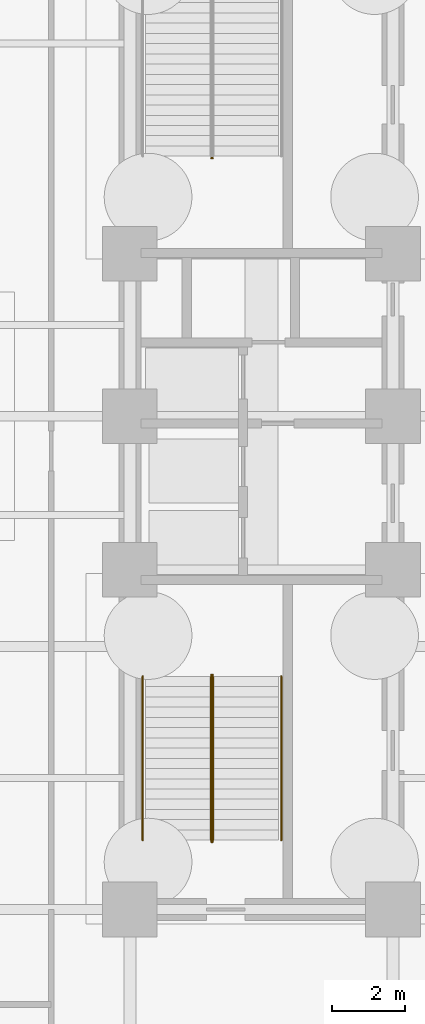
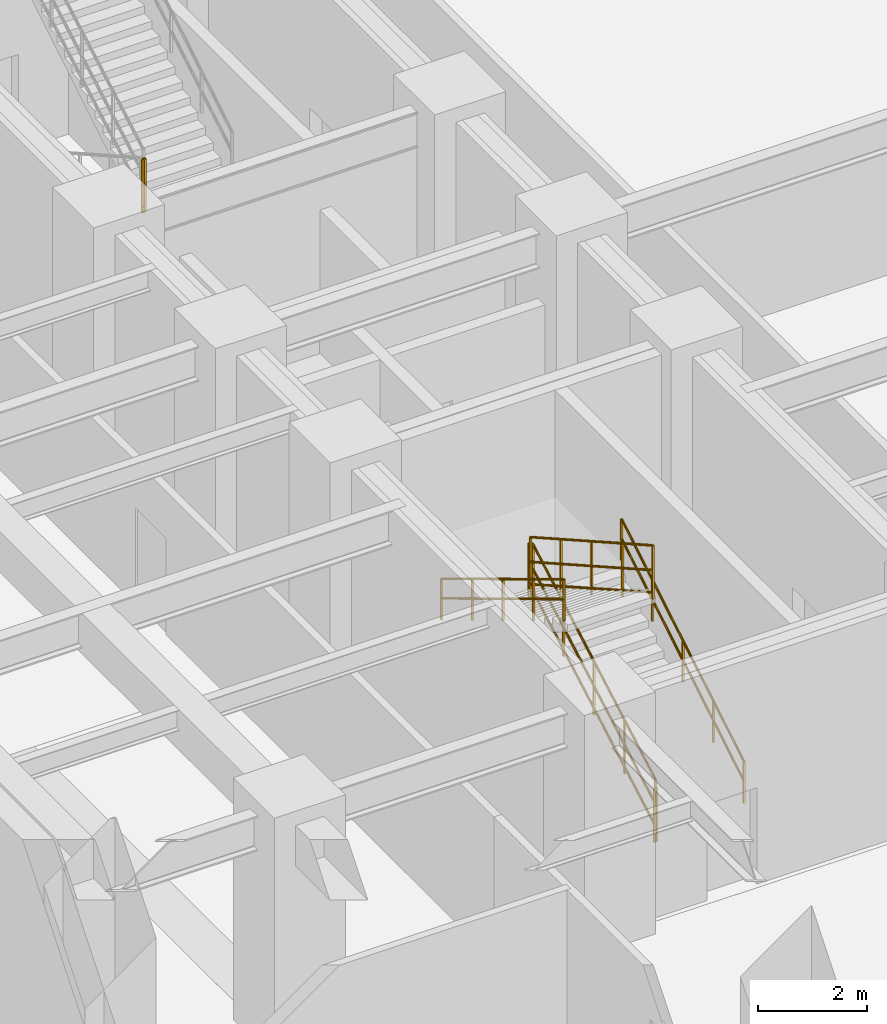
# One storey, part 8 of 11: 7 railings.
"""IFC4 building model written with IfcOpenShell, lengths in metres."""

from ifc_helpers import new_model, entity, si_unit, converted_unit, direction, frame, origin_with_axes, origin_2d_with_axis, place, context, subcontext, project, spatial, rectangle, circle, extrude, material, type_object, element, save


model = new_model("IFC4")

# Units and contexts
model_context = context("Model", 3, precision=1e-05, world=origin_with_axes(), true_north=direction((0.0, 1.0)))
body_context = subcontext(model_context, "Body", "Model", "MODEL_VIEW")
ifc_project = project(units=[si_unit("LENGTHUNIT", "METRE"), si_unit("AREAUNIT", "SQUARE_METRE"), si_unit("VOLUMEUNIT", "CUBIC_METRE"), converted_unit("PLANEANGLEUNIT", "DEGREE", entity("IfcPlaneAngleMeasure", 0.017453292519943295), si_unit("PLANEANGLEUNIT", "RADIAN"), dimensions=[0, 0, 0, 0, 0, 0, 0]), si_unit("MASSUNIT", "GRAM", prefix="KILO"), si_unit("THERMODYNAMICTEMPERATUREUNIT", "KELVIN")], contexts=[model_context])

# Site, building, storey
site_placement = place(None, origin_with_axes())
site = spatial("IfcSite", under=ifc_project, at=site_placement, CompositionType="ELEMENT")
building_placement = place(site_placement, origin_with_axes())
building = spatial("IfcBuilding", under=site, at=building_placement, Name="Varnlund Millrace Tower", CompositionType="ELEMENT")
storey_placement = place(building_placement, frame((0.0, 0.0, -10.2), z_axis=(0.0, 0.0, 1.0), x_axis=(1.0, 0.0, 0.0)))
storey = spatial("IfcBuildingStorey", under=building, at=storey_placement, Name="B2", CompositionType="ELEMENT", Elevation=-10.2)

# Railings
ifc_material_1 = material(Name="Painted steel stair well balustrade guard", Category="steel")
railing_type_1 = type_object("IfcRailingType", Name="Type-StairGuard-1150", PredefinedType="GUARDRAIL", material=ifc_material_1)
railing_1_placement = place(storey_placement, frame((0.0, 0.0, 10.2), z_axis=(0.0, 0.0, 1.0), x_axis=(1.0, 0.0, 0.0)))
element("IfcRailing", 1, at=railing_1_placement, inside=storey, type_object=railing_type_1, Name="Type-StairGuard-1150", PredefinedType="GUARDRAIL", context=body_context, shape_type="SweptSolid", body=[
    extrude(circle(Radius=0.024, at=origin_2d_with_axis()), frame((13.675, 12.7, -8.88125), z_axis=(0.0, 0.87064, 0.491921), x_axis=(-1.0, 0.0, 0.0)), (0.0, 0.0, 1.0), 5.145642),
    extrude(circle(Radius=0.024, at=origin_2d_with_axis()), frame((13.675, 12.7, -9.93125), z_axis=(0.0, 0.87064, 0.491921), x_axis=(-1.0, 0.0, 0.0)), (0.0, 0.0, 1.0), 5.145642),
    extrude(circle(Radius=0.024, at=origin_2d_with_axis()), frame((13.675, 12.7, -9.43325), z_axis=(0.0, 0.87064, 0.491921), x_axis=(-1.0, 0.0, 0.0)), (0.0, 0.0, 1.0), 5.145642),
    extrude(rectangle(XDim=0.04, YDim=0.04, at=origin_2d_with_axis()), frame((13.675, 12.7, -10.07125), z_axis=(0.0, 0.0, 1.0), x_axis=(1.0, 0.0, 0.0)), (0.0, 0.0, 1.0), 1.19),
    extrude(rectangle(XDim=0.04, YDim=0.04, at=origin_2d_with_axis()), frame((13.675, 13.82, -9.438438), z_axis=(0.0, 0.0, 1.0), x_axis=(1.0, 0.0, 0.0)), (0.0, 0.0, 1.0), 1.19),
    extrude(rectangle(XDim=0.04, YDim=0.04, at=origin_2d_with_axis()), frame((13.675, 14.94, -8.805625), z_axis=(0.0, 0.0, 1.0), x_axis=(1.0, 0.0, 0.0)), (0.0, 0.0, 1.0), 1.19),
    extrude(rectangle(XDim=0.04, YDim=0.04, at=origin_2d_with_axis()), frame((13.675, 16.06, -8.172812), z_axis=(0.0, 0.0, 1.0), x_axis=(1.0, 0.0, 0.0)), (0.0, 0.0, 1.0), 1.19),
    extrude(rectangle(XDim=0.04, YDim=0.04, at=origin_2d_with_axis()), frame((13.675, 17.18, -7.54), z_axis=(0.0, 0.0, 1.0), x_axis=(1.0, 0.0, 0.0)), (0.0, 0.0, 1.0), 1.19),
])
railing_2_placement = place(storey_placement, frame((0.0, 0.0, 10.2), z_axis=(0.0, 0.0, 1.0), x_axis=(1.0, 0.0, 0.0)))
element("IfcRailing", 2, at=railing_2_placement, inside=storey, type_object=railing_type_1, Name="Type-StairGuard-1150", PredefinedType="GUARDRAIL", context=body_context, shape_type="SweptSolid", body=[
    extrude(circle(Radius=0.024, at=origin_2d_with_axis()), frame((13.625, 17.23, -6.35), z_axis=(1.0, 0.0, 0.0), x_axis=(0.0, 1.0, 0.0)), (0.0, 0.0, 1.0), 0.05),
    extrude(circle(Radius=0.024, at=origin_2d_with_axis()), frame((13.625, 17.23, -7.4), z_axis=(1.0, 0.0, 0.0), x_axis=(0.0, 1.0, 0.0)), (0.0, 0.0, 1.0), 0.05),
    extrude(circle(Radius=0.024, at=origin_2d_with_axis()), frame((13.625, 17.23, -6.902), z_axis=(1.0, 0.0, 0.0), x_axis=(0.0, 1.0, 0.0)), (0.0, 0.0, 1.0), 0.05),
    extrude(rectangle(XDim=0.04, YDim=0.04, at=origin_2d_with_axis()), frame((13.625, 17.23, -7.54), z_axis=(0.0, 0.0, 1.0), x_axis=(1.0, 0.0, 0.0)), (0.0, 0.0, 1.0), 1.19),
    extrude(rectangle(XDim=0.04, YDim=0.04, at=origin_2d_with_axis()), frame((13.675, 17.23, -7.54), z_axis=(0.0, 0.0, 1.0), x_axis=(1.0, 0.0, 0.0)), (0.0, 0.0, 1.0), 1.19),
])
railing_3_placement = place(storey_placement, frame((0.0, 0.0, 10.2), z_axis=(0.0, 0.0, 1.0), x_axis=(1.0, 0.0, 0.0)))
element("IfcRailing", 3, at=railing_3_placement, inside=storey, type_object=railing_type_1, Name="Type-StairGuard-1150", PredefinedType="GUARDRAIL", context=body_context, shape_type="SweptSolid", body=[
    extrude(circle(Radius=0.024, at=origin_2d_with_axis()), frame((13.625, 17.18, -6.18125), z_axis=(0.0, -0.87064, 0.491921), x_axis=(1.0, 0.0, 0.0)), (0.0, 0.0, 1.0), 5.145642),
    extrude(circle(Radius=0.024, at=origin_2d_with_axis()), frame((13.625, 17.18, -7.23125), z_axis=(0.0, -0.87064, 0.491921), x_axis=(1.0, 0.0, 0.0)), (0.0, 0.0, 1.0), 5.145642),
    extrude(circle(Radius=0.024, at=origin_2d_with_axis()), frame((13.625, 17.18, -6.73325), z_axis=(0.0, -0.87064, 0.491921), x_axis=(1.0, 0.0, 0.0)), (0.0, 0.0, 1.0), 5.145642),
    extrude(rectangle(XDim=0.04, YDim=0.04, at=origin_2d_with_axis()), frame((13.625, 17.18, -7.37125), z_axis=(0.0, 0.0, 1.0), x_axis=(1.0, 0.0, 0.0)), (0.0, 0.0, 1.0), 1.19),
    extrude(rectangle(XDim=0.04, YDim=0.04, at=origin_2d_with_axis()), frame((13.625, 16.06, -6.738438), z_axis=(0.0, 0.0, 1.0), x_axis=(1.0, 0.0, 0.0)), (0.0, 0.0, 1.0), 1.19),
    extrude(rectangle(XDim=0.04, YDim=0.04, at=origin_2d_with_axis()), frame((13.625, 14.94, -6.105625), z_axis=(0.0, 0.0, 1.0), x_axis=(1.0, 0.0, 0.0)), (0.0, 0.0, 1.0), 1.19),
    extrude(rectangle(XDim=0.04, YDim=0.04, at=origin_2d_with_axis()), frame((13.625, 13.82, -5.472812), z_axis=(0.0, 0.0, 1.0), x_axis=(1.0, 0.0, 0.0)), (0.0, 0.0, 1.0), 1.19),
    extrude(rectangle(XDim=0.04, YDim=0.04, at=origin_2d_with_axis()), frame((13.625, 12.7, -4.84), z_axis=(0.0, 0.0, 1.0), x_axis=(1.0, 0.0, 0.0)), (0.0, 0.0, 1.0), 1.19),
])
railing_4_placement = place(storey_placement, frame((0.0, 0.0, 10.2), z_axis=(0.0, 0.0, 1.0), x_axis=(1.0, 0.0, 0.0)))
element("IfcRailing", 4, at=railing_4_placement, inside=storey, type_object=railing_type_1, Name="Type-StairGuard-1150", PredefinedType="GUARDRAIL", context=body_context, shape_type="SweptSolid", body=[
    extrude(circle(Radius=0.024, at=origin_2d_with_axis()), frame((13.625, 12.65, -9.05), z_axis=(1.0, 0.0, 0.0), x_axis=(0.0, 1.0, 0.0)), (0.0, 0.0, 1.0), 0.05),
    extrude(circle(Radius=0.024, at=origin_2d_with_axis()), frame((13.625, 12.65, -10.1), z_axis=(1.0, 0.0, 0.0), x_axis=(0.0, 1.0, 0.0)), (0.0, 0.0, 1.0), 0.05),
    extrude(circle(Radius=0.024, at=origin_2d_with_axis()), frame((13.625, 12.65, -9.602), z_axis=(1.0, 0.0, 0.0), x_axis=(0.0, 1.0, 0.0)), (0.0, 0.0, 1.0), 0.05),
    extrude(rectangle(XDim=0.04, YDim=0.04, at=origin_2d_with_axis()), frame((13.625, 12.65, -10.24), z_axis=(0.0, 0.0, 1.0), x_axis=(1.0, 0.0, 0.0)), (0.0, 0.0, 1.0), 1.19),
    extrude(rectangle(XDim=0.04, YDim=0.04, at=origin_2d_with_axis()), frame((13.675, 12.65, -10.24), z_axis=(0.0, 0.0, 1.0), x_axis=(1.0, 0.0, 0.0)), (0.0, 0.0, 1.0), 1.19),
])
railing_5_placement = place(storey_placement, frame((0.0, 0.0, 10.2), z_axis=(0.0, 0.0, 1.0), x_axis=(1.0, 0.0, 0.0)))
element("IfcRailing", 5, at=railing_5_placement, inside=storey, type_object=railing_type_1, Name="Type-StairGuard-1150", PredefinedType="GUARDRAIL", context=body_context, shape_type="SweptSolid", body=[
    extrude(circle(Radius=0.024, at=origin_2d_with_axis()), frame((13.675, 31.37, -6.35), z_axis=(-1.0, 0.0, 0.0), x_axis=(0.0, -1.0, 0.0)), (0.0, 0.0, 1.0), 0.05),
    extrude(circle(Radius=0.024, at=origin_2d_with_axis()), frame((13.675, 31.37, -7.4), z_axis=(-1.0, 0.0, 0.0), x_axis=(0.0, -1.0, 0.0)), (0.0, 0.0, 1.0), 0.05),
    extrude(circle(Radius=0.024, at=origin_2d_with_axis()), frame((13.675, 31.37, -6.902), z_axis=(-1.0, 0.0, 0.0), x_axis=(0.0, -1.0, 0.0)), (0.0, 0.0, 1.0), 0.05),
    extrude(rectangle(XDim=0.04, YDim=0.04, at=origin_2d_with_axis()), frame((13.675, 31.37, -7.54), z_axis=(0.0, 0.0, 1.0), x_axis=(1.0, 0.0, 0.0)), (0.0, 0.0, 1.0), 1.19),
    extrude(rectangle(XDim=0.04, YDim=0.04, at=origin_2d_with_axis()), frame((13.625, 31.37, -7.54), z_axis=(0.0, 0.0, 1.0), x_axis=(1.0, 0.0, 0.0)), (0.0, 0.0, 1.0), 1.19),
])
ifc_material_2 = material(Name="Brushed architectural bronze stair handrail", Category="aluminium")
railing_type_2 = type_object("IfcRailingType", Name="Type-StairHandrail-900", PredefinedType="HANDRAIL", material=ifc_material_2)
railing_6_placement = place(storey_placement, frame((0.0, 0.0, 10.2), z_axis=(0.0, 0.0, 1.0), x_axis=(1.0, 0.0, 0.0)))
element("IfcRailing", 6, at=railing_6_placement, inside=storey, type_object=railing_type_2, Name="Type-StairHandrail-900", PredefinedType="HANDRAIL", context=body_context, shape_type="SweptSolid", body=[
    extrude(circle(Radius=0.024, at=origin_2d_with_axis()), frame((15.55, 12.7, -9.151805), z_axis=(0.0, 0.856479, 0.516182), x_axis=(-1.0, 0.0, 0.0)), (0.0, 0.0, 1.0), 5.230717),
    extrude(circle(Radius=0.024, at=origin_2d_with_axis()), frame((15.55, 12.7, -9.591528), z_axis=(0.0, 0.856479, 0.516182), x_axis=(-1.0, 0.0, 0.0)), (0.0, 0.0, 1.0), 5.230717),
    extrude(rectangle(XDim=0.04, YDim=0.04, at=origin_2d_with_axis()), frame((15.55, 12.7, -10.07125), z_axis=(0.0, 0.0, 1.0), x_axis=(1.0, 0.0, 0.0)), (0.0, 0.0, 1.0), 0.919445),
    extrude(rectangle(XDim=0.04, YDim=0.04, at=origin_2d_with_axis()), frame((15.55, 13.82, -9.39625), z_axis=(0.0, 0.0, 1.0), x_axis=(1.0, 0.0, 0.0)), (0.0, 0.0, 1.0), 0.919445),
    extrude(rectangle(XDim=0.04, YDim=0.04, at=origin_2d_with_axis()), frame((15.55, 14.94, -8.72125), z_axis=(0.0, 0.0, 1.0), x_axis=(1.0, 0.0, 0.0)), (0.0, 0.0, 1.0), 0.919445),
    extrude(rectangle(XDim=0.04, YDim=0.04, at=origin_2d_with_axis()), frame((15.55, 16.06, -8.04625), z_axis=(0.0, 0.0, 1.0), x_axis=(1.0, 0.0, 0.0)), (0.0, 0.0, 1.0), 0.919445),
    extrude(rectangle(XDim=0.04, YDim=0.04, at=origin_2d_with_axis()), frame((15.55, 17.18, -7.37125), z_axis=(0.0, 0.0, 1.0), x_axis=(1.0, 0.0, 0.0)), (0.0, 0.0, 1.0), 0.919445),
])
railing_7_placement = place(storey_placement, frame((0.0, 0.0, 10.2), z_axis=(0.0, 0.0, 1.0), x_axis=(1.0, 0.0, 0.0)))
element("IfcRailing", 7, at=railing_7_placement, inside=storey, type_object=railing_type_2, Name="Type-StairHandrail-900", PredefinedType="HANDRAIL", context=body_context, shape_type="SweptSolid", body=[
    extrude(circle(Radius=0.024, at=origin_2d_with_axis()), frame((11.75, 17.18, -6.451805), z_axis=(0.0, -0.856479, 0.516182), x_axis=(1.0, 0.0, 0.0)), (0.0, 0.0, 1.0), 5.230717),
    extrude(circle(Radius=0.024, at=origin_2d_with_axis()), frame((11.75, 17.18, -6.891528), z_axis=(0.0, -0.856479, 0.516182), x_axis=(1.0, 0.0, 0.0)), (0.0, 0.0, 1.0), 5.230717),
    extrude(rectangle(XDim=0.04, YDim=0.04, at=origin_2d_with_axis()), frame((11.75, 17.18, -7.37125), z_axis=(0.0, 0.0, 1.0), x_axis=(1.0, 0.0, 0.0)), (0.0, 0.0, 1.0), 0.919445),
    extrude(rectangle(XDim=0.04, YDim=0.04, at=origin_2d_with_axis()), frame((11.75, 16.06, -6.69625), z_axis=(0.0, 0.0, 1.0), x_axis=(1.0, 0.0, 0.0)), (0.0, 0.0, 1.0), 0.919445),
    extrude(rectangle(XDim=0.04, YDim=0.04, at=origin_2d_with_axis()), frame((11.75, 14.94, -6.02125), z_axis=(0.0, 0.0, 1.0), x_axis=(1.0, 0.0, 0.0)), (0.0, 0.0, 1.0), 0.919445),
    extrude(rectangle(XDim=0.04, YDim=0.04, at=origin_2d_with_axis()), frame((11.75, 13.82, -5.34625), z_axis=(0.0, 0.0, 1.0), x_axis=(1.0, 0.0, 0.0)), (0.0, 0.0, 1.0), 0.919445),
    extrude(rectangle(XDim=0.04, YDim=0.04, at=origin_2d_with_axis()), frame((11.75, 12.7, -4.67125), z_axis=(0.0, 0.0, 1.0), x_axis=(1.0, 0.0, 0.0)), (0.0, 0.0, 1.0), 0.919445),
])

save(model, "model.ifc")
